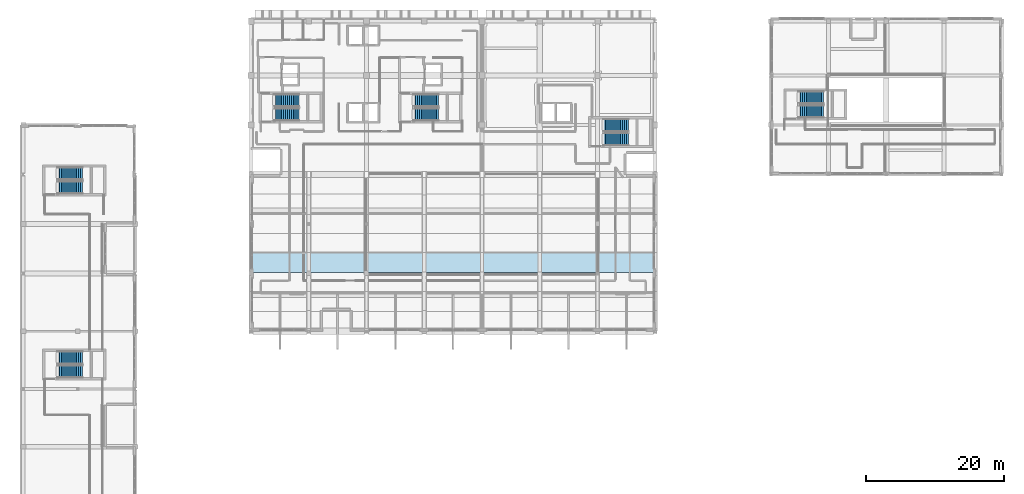
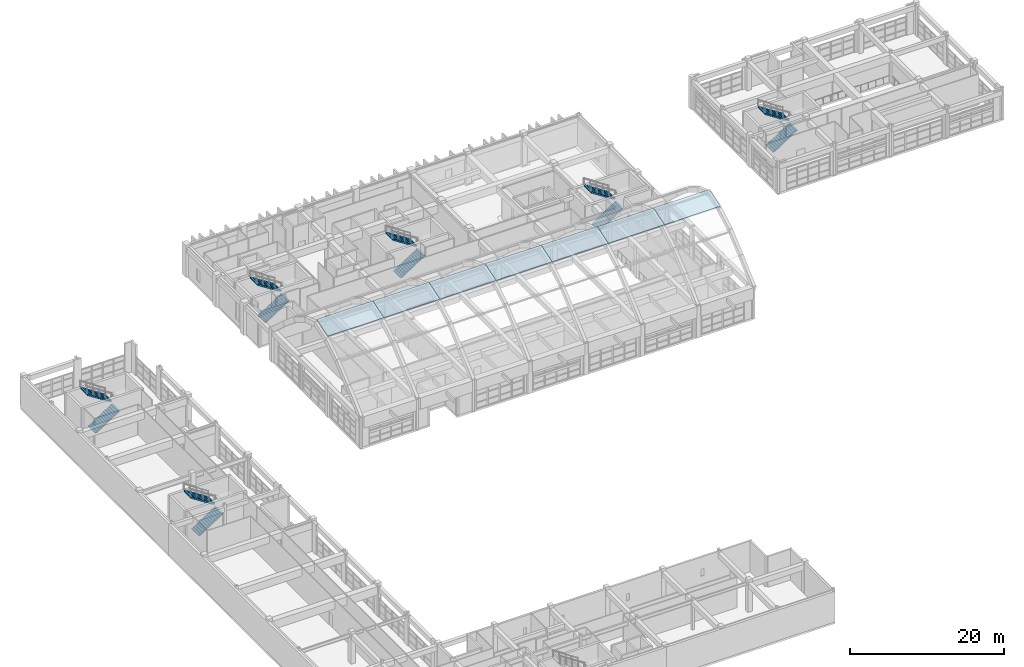
# One storey, part 93 of 103: 12 stair flights, 7 roofs, 6 elements without a shape of their own.
"""IFC4 building model written with IfcOpenShell, lengths in metres."""

from ifc_helpers import new_model, si_unit, direction, frame, origin, place, context, subcontext, project, spatial, polyline, outline, extrude, material, layer, layer_set, type_object, element, aggregate, save


model = new_model("IFC4")

# Units and contexts
model_context = context("Model", 3, precision=1e-05, world=origin(), true_north=direction((0.0, 1.0)))
body_context = subcontext(model_context, "Body", "Model", "MODEL_VIEW")
ifc_project = project(units=[si_unit("LENGTHUNIT", "METRE"), si_unit("AREAUNIT", "SQUARE_METRE"), si_unit("VOLUMEUNIT", "CUBIC_METRE"), si_unit("PLANEANGLEUNIT", "RADIAN"), si_unit("MASSUNIT", "GRAM", prefix="KILO")], contexts=[model_context])

# Site, building, storey
site_placement = place(None, origin())
site = spatial("IfcSite", under=ifc_project, at=site_placement, CompositionType="ELEMENT")
building_placement = place(site_placement, origin())
building = spatial("IfcBuilding", under=site, at=building_placement, Name="Quendrovan Civic Courthouse", CompositionType="ELEMENT")
storey_placement = place(building_placement, frame((0.0, 0.0, 15.300048828125)))
storey = spatial("IfcBuildingStorey", under=building, at=storey_placement, Name="L04", CompositionType="ELEMENT", Elevation=15.300048828125)

# Stair, stair flights
ifc_material_1 = material(Name="Concrete C40/50", Category="concrete")
stair_type_1 = type_object("IfcStairType", Name="STR-CORE-5100", PredefinedType="HALF_TURN_STAIR", material=ifc_material_1)
stair_1_placement = place(storey_placement, origin())
stair_1 = element("IfcStair", 1, at=stair_1_placement, inside=storey, type_object=stair_type_1, Name="L04 West Judicial and Public Exit Stair 1", PredefinedType="HALF_TURN_STAIR")
stair_flight_type_1 = type_object("IfcStairFlightType", Name="FLT-CORE-5100", PredefinedType="STRAIGHT", material=ifc_material_1)
stair_flight_1_placement = place(storey_placement, frame((36.949951171875, 96.324951171875, 0.0), z_axis=(0.0, 0.0, 1.0), x_axis=(1.0, 0.0, 0.0)))
stair_flight_1 = element("IfcStairFlight", 2, at=stair_flight_1_placement, type_object=stair_flight_type_1, Name="ST1 flight 1", NumberOfRisers=14, NumberOfTreads=13, PredefinedType="STRAIGHT", RiserHeight=0.182142857, TreadLength=0.28, context=body_context, shape_type="SweptSolid", body=[
    extrude(outline(polyline([(0.0, 0.0), (0.0, 0.18212890625), (0.280029296875, 0.18212890625), (0.280029296875, 0.3642578125), (0.56005859375, 0.3642578125), (0.56005859375, 0.54638671875), (0.840087890625, 0.54638671875), (0.840087890625, 0.728515625), (1.1201171875, 0.728515625), (1.1201171875, 0.91064453125), (1.39990234375, 0.91064453125), (1.39990234375, 1.0927734375), (1.679931640625, 1.0927734375), (1.679931640625, 1.27490234375), (1.9599609375, 1.27490234375), (1.9599609375, 1.45703125), (2.239990234375, 1.45703125), (2.239990234375, 1.639404296875), (2.52001953125, 1.639404296875), (2.52001953125, 1.821533203125), (2.800048828125, 1.821533203125), (2.800048828125, 2.003662109375), (3.080078125, 2.003662109375), (3.080078125, 2.185791015625), (3.360107421875, 2.185791015625), (3.360107421875, 2.367919921875), (3.639892578125, 2.367919921875), (3.639892578125, 2.550048828125), (3.639892578125, 2.18896484375), (0.27490234375, 0.0), (0.0, 0.0)])), frame((0.0, 0.925048828125, 0.0), z_axis=(0.0, -1.0, 0.0), x_axis=(1.0, 0.0, 0.0)), (0.0, 0.0, 1.0), 1.85009765625),
])
stair_flight_2_placement = place(storey_placement, frame((40.590087890625, 98.35498046875, 2.550048828125), z_axis=(0.0, 0.0, 1.0), x_axis=(-1.0, 0.0, 0.0)))
stair_flight_2 = element("IfcStairFlight", 3, at=stair_flight_2_placement, type_object=stair_flight_type_1, Name="ST1 flight 2", NumberOfRisers=14, NumberOfTreads=13, PredefinedType="STRAIGHT", RiserHeight=0.182142857, TreadLength=0.28, context=body_context, shape_type="SweptSolid", body=[
    extrude(outline(polyline([(0.0, 0.0), (0.0, 0.18212890625), (0.280029296875, 0.18212890625), (0.280029296875, 0.3642578125), (0.56005859375, 0.3642578125), (0.56005859375, 0.54638671875), (0.840087890625, 0.54638671875), (0.840087890625, 0.728515625), (1.1201171875, 0.728515625), (1.1201171875, 0.91064453125), (1.39990234375, 0.91064453125), (1.39990234375, 1.0927734375), (1.679931640625, 1.0927734375), (1.679931640625, 1.27490234375), (1.9599609375, 1.27490234375), (1.9599609375, 1.45703125), (2.239990234375, 1.45703125), (2.239990234375, 1.639404296875), (2.52001953125, 1.639404296875), (2.52001953125, 1.821533203125), (2.800048828125, 1.821533203125), (2.800048828125, 2.003662109375), (3.080078125, 2.003662109375), (3.080078125, 2.185791015625), (3.360107421875, 2.185791015625), (3.360107421875, 2.367919921875), (3.639892578125, 2.367919921875), (3.639892578125, 2.550048828125), (3.639892578125, 2.18896484375), (0.27490234375, 0.0), (0.0, 0.0)])), frame((0.0, 0.925048828125, 0.0), z_axis=(0.0, -1.0, 0.0), x_axis=(1.0, 0.0, 0.0)), (0.0, 0.0, 1.0), 1.85009765625),
])
aggregate(stair_1, [stair_flight_1, stair_flight_2])

stair_2_placement = place(storey_placement, origin())
stair_2 = element("IfcStair", 4, at=stair_2_placement, inside=storey, type_object=stair_type_1, Name="L04 Central Judicial and Firefighting Exit Stair 2", PredefinedType="HALF_TURN_STAIR")
stair_flight_3_placement = place(storey_placement, frame((57.25, 96.324951171875, 0.0), z_axis=(0.0, 0.0, 1.0), x_axis=(1.0, 0.0, 0.0)))
stair_flight_3 = element("IfcStairFlight", 5, at=stair_flight_3_placement, type_object=stair_flight_type_1, Name="ST2 flight 1", NumberOfRisers=14, NumberOfTreads=13, PredefinedType="STRAIGHT", RiserHeight=0.182142857, TreadLength=0.28, context=body_context, shape_type="SweptSolid", body=[
    extrude(outline(polyline([(0.0, 0.0), (0.0, 0.18212890625), (0.280029296875, 0.18212890625), (0.280029296875, 0.3642578125), (0.56005859375, 0.3642578125), (0.56005859375, 0.54638671875), (0.840087890625, 0.54638671875), (0.840087890625, 0.728515625), (1.1201171875, 0.728515625), (1.1201171875, 0.91064453125), (1.39990234375, 0.91064453125), (1.39990234375, 1.0927734375), (1.679931640625, 1.0927734375), (1.679931640625, 1.27490234375), (1.9599609375, 1.27490234375), (1.9599609375, 1.45703125), (2.239990234375, 1.45703125), (2.239990234375, 1.639404296875), (2.52001953125, 1.639404296875), (2.52001953125, 1.821533203125), (2.800048828125, 1.821533203125), (2.800048828125, 2.003662109375), (3.080078125, 2.003662109375), (3.080078125, 2.185791015625), (3.360107421875, 2.185791015625), (3.360107421875, 2.367919921875), (3.639892578125, 2.367919921875), (3.639892578125, 2.550048828125), (3.639892578125, 2.18896484375), (0.27490234375, 0.0), (0.0, 0.0)])), frame((0.0, 0.925048828125, 0.0), z_axis=(0.0, -1.0, 0.0), x_axis=(1.0, 0.0, 0.0)), (0.0, 0.0, 1.0), 1.85009765625),
])
stair_flight_4_placement = place(storey_placement, frame((60.889892578125, 98.35498046875, 2.550048828125), z_axis=(0.0, 0.0, 1.0), x_axis=(-1.0, 0.0, 0.0)))
stair_flight_4 = element("IfcStairFlight", 6, at=stair_flight_4_placement, type_object=stair_flight_type_1, Name="ST2 flight 2", NumberOfRisers=14, NumberOfTreads=13, PredefinedType="STRAIGHT", RiserHeight=0.182142857, TreadLength=0.28, context=body_context, shape_type="SweptSolid", body=[
    extrude(outline(polyline([(0.0, 0.0), (0.0, 0.18212890625), (0.280029296875, 0.18212890625), (0.280029296875, 0.3642578125), (0.56005859375, 0.3642578125), (0.56005859375, 0.54638671875), (0.840087890625, 0.54638671875), (0.840087890625, 0.728515625), (1.1201171875, 0.728515625), (1.1201171875, 0.91064453125), (1.39990234375, 0.91064453125), (1.39990234375, 1.0927734375), (1.679931640625, 1.0927734375), (1.679931640625, 1.27490234375), (1.9599609375, 1.27490234375), (1.9599609375, 1.45703125), (2.239990234375, 1.45703125), (2.239990234375, 1.639404296875), (2.52001953125, 1.639404296875), (2.52001953125, 1.821533203125), (2.800048828125, 1.821533203125), (2.800048828125, 2.003662109375), (3.080078125, 2.003662109375), (3.080078125, 2.185791015625), (3.360107421875, 2.185791015625), (3.360107421875, 2.367919921875), (3.639892578125, 2.367919921875), (3.639892578125, 2.550048828125), (3.639892578125, 2.18896484375), (0.27490234375, 0.0), (0.0, 0.0)])), frame((0.0, 0.925048828125, 0.0), z_axis=(0.0, -1.0, 0.0), x_axis=(1.0, 0.0, 0.0)), (0.0, 0.0, 1.0), 1.85009765625),
])
aggregate(stair_2, [stair_flight_3, stair_flight_4])

stair_3_placement = place(storey_placement, origin())
stair_3 = element("IfcStair", 7, at=stair_3_placement, inside=storey, type_object=stair_type_1, Name="L04 East Court Block Exit Stair 3", PredefinedType="HALF_TURN_STAIR")
stair_flight_5_placement = place(storey_placement, frame((84.85009765625, 92.72509765625, 0.0), z_axis=(0.0, 0.0, 1.0), x_axis=(1.0, 0.0, 0.0)))
stair_flight_5 = element("IfcStairFlight", 8, at=stair_flight_5_placement, type_object=stair_flight_type_1, Name="ST3 flight 1", NumberOfRisers=14, NumberOfTreads=13, PredefinedType="STRAIGHT", RiserHeight=0.182142857, TreadLength=0.28, context=body_context, shape_type="SweptSolid", body=[
    extrude(outline(polyline([(0.0, 0.0), (0.0, 0.18212890625), (0.280029296875, 0.18212890625), (0.280029296875, 0.3642578125), (0.56005859375, 0.3642578125), (0.56005859375, 0.54638671875), (0.840087890625, 0.54638671875), (0.840087890625, 0.728515625), (1.1201171875, 0.728515625), (1.1201171875, 0.91064453125), (1.39990234375, 0.91064453125), (1.39990234375, 1.0927734375), (1.679931640625, 1.0927734375), (1.679931640625, 1.27490234375), (1.9599609375, 1.27490234375), (1.9599609375, 1.45703125), (2.239990234375, 1.45703125), (2.239990234375, 1.639404296875), (2.52001953125, 1.639404296875), (2.52001953125, 1.821533203125), (2.800048828125, 1.821533203125), (2.800048828125, 2.003662109375), (3.080078125, 2.003662109375), (3.080078125, 2.185791015625), (3.360107421875, 2.185791015625), (3.360107421875, 2.367919921875), (3.639892578125, 2.367919921875), (3.639892578125, 2.550048828125), (3.639892578125, 2.18896484375), (0.27490234375, 0.0), (0.0, 0.0)])), frame((0.0, 0.925048828125, 0.0), z_axis=(0.0, -1.0, 0.0), x_axis=(1.0, 0.0, 0.0)), (0.0, 0.0, 1.0), 1.85009765625),
])
stair_flight_6_placement = place(storey_placement, frame((88.489990234375, 94.7548828125, 2.550048828125), z_axis=(0.0, 0.0, 1.0), x_axis=(-1.0, 0.0, 0.0)))
stair_flight_6 = element("IfcStairFlight", 9, at=stair_flight_6_placement, type_object=stair_flight_type_1, Name="ST3 flight 2", NumberOfRisers=14, NumberOfTreads=13, PredefinedType="STRAIGHT", RiserHeight=0.182142857, TreadLength=0.28, context=body_context, shape_type="SweptSolid", body=[
    extrude(outline(polyline([(0.0, 0.0), (0.0, 0.18212890625), (0.280029296875, 0.18212890625), (0.280029296875, 0.3642578125), (0.56005859375, 0.3642578125), (0.56005859375, 0.54638671875), (0.840087890625, 0.54638671875), (0.840087890625, 0.728515625), (1.1201171875, 0.728515625), (1.1201171875, 0.91064453125), (1.39990234375, 0.91064453125), (1.39990234375, 1.0927734375), (1.679931640625, 1.0927734375), (1.679931640625, 1.27490234375), (1.9599609375, 1.27490234375), (1.9599609375, 1.45703125), (2.239990234375, 1.45703125), (2.239990234375, 1.639404296875), (2.52001953125, 1.639404296875), (2.52001953125, 1.821533203125), (2.800048828125, 1.821533203125), (2.800048828125, 2.003662109375), (3.080078125, 2.003662109375), (3.080078125, 2.185791015625), (3.360107421875, 2.185791015625), (3.360107421875, 2.367919921875), (3.639892578125, 2.367919921875), (3.639892578125, 2.550048828125), (3.639892578125, 2.18896484375), (0.27490234375, 0.0), (0.0, 0.0)])), frame((0.0, 0.925048828125, 0.0), z_axis=(0.0, -1.0, 0.0), x_axis=(1.0, 0.0, 0.0)), (0.0, 0.0, 1.0), 1.85009765625),
])
aggregate(stair_3, [stair_flight_5, stair_flight_6])

stair_4_placement = place(storey_placement, origin())
stair_4 = element("IfcStair", 10, at=stair_4_placement, inside=storey, type_object=stair_type_1, Name="L04 Law Library Wing Exit Stair 4", PredefinedType="HALF_TURN_STAIR")
stair_flight_7_placement = place(storey_placement, frame((5.449951171875, 58.925048828125, 0.0), z_axis=(0.0, 0.0, 1.0), x_axis=(1.0, 0.0, 0.0)))
stair_flight_7 = element("IfcStairFlight", 11, at=stair_flight_7_placement, type_object=stair_flight_type_1, Name="ST4 flight 1", NumberOfRisers=14, NumberOfTreads=13, PredefinedType="STRAIGHT", RiserHeight=0.182142857, TreadLength=0.28, context=body_context, shape_type="SweptSolid", body=[
    extrude(outline(polyline([(0.0, 0.0), (0.0, 0.18212890625), (0.280029296875, 0.18212890625), (0.280029296875, 0.3642578125), (0.56005859375, 0.3642578125), (0.56005859375, 0.54638671875), (0.840087890625, 0.54638671875), (0.840087890625, 0.728515625), (1.1201171875, 0.728515625), (1.1201171875, 0.91064453125), (1.39990234375, 0.91064453125), (1.39990234375, 1.0927734375), (1.679931640625, 1.0927734375), (1.679931640625, 1.27490234375), (1.9599609375, 1.27490234375), (1.9599609375, 1.45703125), (2.239990234375, 1.45703125), (2.239990234375, 1.639404296875), (2.52001953125, 1.639404296875), (2.52001953125, 1.821533203125), (2.800048828125, 1.821533203125), (2.800048828125, 2.003662109375), (3.080078125, 2.003662109375), (3.080078125, 2.185791015625), (3.360107421875, 2.185791015625), (3.360107421875, 2.367919921875), (3.639892578125, 2.367919921875), (3.639892578125, 2.550048828125), (3.639892578125, 2.18896484375), (0.27490234375, 0.0), (0.0, 0.0)])), frame((0.0, 0.925048828125, 0.0), z_axis=(0.0, -1.0, 0.0), x_axis=(1.0, 0.0, 0.0)), (0.0, 0.0, 1.0), 1.85009765625),
])
stair_flight_8_placement = place(storey_placement, frame((9.090087890625, 60.955078125, 2.550048828125), z_axis=(0.0, 0.0, 1.0), x_axis=(-1.0, 0.0, 0.0)))
stair_flight_8 = element("IfcStairFlight", 12, at=stair_flight_8_placement, type_object=stair_flight_type_1, Name="ST4 flight 2", NumberOfRisers=14, NumberOfTreads=13, PredefinedType="STRAIGHT", RiserHeight=0.182142857, TreadLength=0.28, context=body_context, shape_type="SweptSolid", body=[
    extrude(outline(polyline([(0.0, 0.0), (0.0, 0.18212890625), (0.280029296875, 0.18212890625), (0.280029296875, 0.3642578125), (0.56005859375, 0.3642578125), (0.56005859375, 0.54638671875), (0.840087890625, 0.54638671875), (0.840087890625, 0.728515625), (1.1201171875, 0.728515625), (1.1201171875, 0.91064453125), (1.39990234375, 0.91064453125), (1.39990234375, 1.0927734375), (1.679931640625, 1.0927734375), (1.679931640625, 1.27490234375), (1.9599609375, 1.27490234375), (1.9599609375, 1.45703125), (2.239990234375, 1.45703125), (2.239990234375, 1.639404296875), (2.52001953125, 1.639404296875), (2.52001953125, 1.821533203125), (2.800048828125, 1.821533203125), (2.800048828125, 2.003662109375), (3.080078125, 2.003662109375), (3.080078125, 2.185791015625), (3.360107421875, 2.185791015625), (3.360107421875, 2.367919921875), (3.639892578125, 2.367919921875), (3.639892578125, 2.550048828125), (3.639892578125, 2.18896484375), (0.27490234375, 0.0), (0.0, 0.0)])), frame((0.0, 0.925048828125, 0.0), z_axis=(0.0, -1.0, 0.0), x_axis=(1.0, 0.0, 0.0)), (0.0, 0.0, 1.0), 1.85009765625),
])
aggregate(stair_4, [stair_flight_7, stair_flight_8])

stair_5_placement = place(storey_placement, origin())
stair_5 = element("IfcStair", 13, at=stair_5_placement, inside=storey, type_object=stair_type_1, Name="L04 Ceremonial Pavilion Exit Stair 6", PredefinedType="HALF_TURN_STAIR")
stair_flight_9_placement = place(storey_placement, frame((113.25, 96.77490234375, 0.0), z_axis=(0.0, 0.0, 1.0), x_axis=(1.0, 0.0, 0.0)))
stair_flight_9 = element("IfcStairFlight", 14, at=stair_flight_9_placement, type_object=stair_flight_type_1, Name="ST6 flight 1", NumberOfRisers=14, NumberOfTreads=13, PredefinedType="STRAIGHT", RiserHeight=0.182142857, TreadLength=0.28, context=body_context, shape_type="SweptSolid", body=[
    extrude(outline(polyline([(0.0, 0.0), (0.0, 0.18212890625), (0.280029296875, 0.18212890625), (0.280029296875, 0.3642578125), (0.56005859375, 0.3642578125), (0.56005859375, 0.54638671875), (0.840087890625, 0.54638671875), (0.840087890625, 0.728515625), (1.1201171875, 0.728515625), (1.1201171875, 0.91064453125), (1.39990234375, 0.91064453125), (1.39990234375, 1.0927734375), (1.679931640625, 1.0927734375), (1.679931640625, 1.27490234375), (1.9599609375, 1.27490234375), (1.9599609375, 1.45703125), (2.239990234375, 1.45703125), (2.239990234375, 1.639404296875), (2.52001953125, 1.639404296875), (2.52001953125, 1.821533203125), (2.800048828125, 1.821533203125), (2.800048828125, 2.003662109375), (3.080078125, 2.003662109375), (3.080078125, 2.185791015625), (3.360107421875, 2.185791015625), (3.360107421875, 2.367919921875), (3.639892578125, 2.367919921875), (3.639892578125, 2.550048828125), (3.639892578125, 2.18896484375), (0.27490234375, 0.0), (0.0, 0.0)])), frame((0.0, 0.925048828125, 0.0), z_axis=(0.0, -1.0, 0.0), x_axis=(1.0, 0.0, 0.0)), (0.0, 0.0, 1.0), 1.85009765625),
])
stair_flight_10_placement = place(storey_placement, frame((116.889892578125, 98.804931640625, 2.550048828125), z_axis=(0.0, 0.0, 1.0), x_axis=(-1.0, 0.0, 0.0)))
stair_flight_10 = element("IfcStairFlight", 15, at=stair_flight_10_placement, type_object=stair_flight_type_1, Name="ST6 flight 2", NumberOfRisers=14, NumberOfTreads=13, PredefinedType="STRAIGHT", RiserHeight=0.182142857, TreadLength=0.28, context=body_context, shape_type="SweptSolid", body=[
    extrude(outline(polyline([(0.0, 0.0), (0.0, 0.18212890625), (0.280029296875, 0.18212890625), (0.280029296875, 0.3642578125), (0.56005859375, 0.3642578125), (0.56005859375, 0.54638671875), (0.840087890625, 0.54638671875), (0.840087890625, 0.728515625), (1.1201171875, 0.728515625), (1.1201171875, 0.91064453125), (1.39990234375, 0.91064453125), (1.39990234375, 1.0927734375), (1.679931640625, 1.0927734375), (1.679931640625, 1.27490234375), (1.9599609375, 1.27490234375), (1.9599609375, 1.45703125), (2.239990234375, 1.45703125), (2.239990234375, 1.639404296875), (2.52001953125, 1.639404296875), (2.52001953125, 1.821533203125), (2.800048828125, 1.821533203125), (2.800048828125, 2.003662109375), (3.080078125, 2.003662109375), (3.080078125, 2.185791015625), (3.360107421875, 2.185791015625), (3.360107421875, 2.367919921875), (3.639892578125, 2.367919921875), (3.639892578125, 2.550048828125), (3.639892578125, 2.18896484375), (0.27490234375, 0.0), (0.0, 0.0)])), frame((0.0, 0.925048828125, 0.0), z_axis=(0.0, -1.0, 0.0), x_axis=(1.0, 0.0, 0.0)), (0.0, 0.0, 1.0), 1.85009765625),
])
aggregate(stair_5, [stair_flight_9, stair_flight_10])

ifc_material_2 = material(Name="Precast concrete C45/55", Category="concrete")
stair_type_2 = type_object("IfcStairType", Name="STR-FEAT-5100", PredefinedType="HALF_TURN_STAIR", material=ifc_material_2)
stair_6_placement = place(storey_placement, origin())
stair_6 = element("IfcStair", 16, at=stair_6_placement, inside=storey, type_object=stair_type_2, Name="L04 North-West Law Library Exit Stair 8", PredefinedType="HALF_TURN_STAIR")
stair_flight_type_2 = type_object("IfcStairFlightType", Name="FLT-FEAT-5100", PredefinedType="STRAIGHT", material=ifc_material_2)
stair_flight_11_placement = place(storey_placement, frame((5.449951171875, 85.72509765625, 0.0), z_axis=(0.0, 0.0, 1.0), x_axis=(1.0, 0.0, 0.0)))
stair_flight_11 = element("IfcStairFlight", 17, at=stair_flight_11_placement, type_object=stair_flight_type_2, Name="ST8 flight 1", NumberOfRisers=14, NumberOfTreads=13, PredefinedType="STRAIGHT", RiserHeight=0.182142857, TreadLength=0.28, context=body_context, shape_type="SweptSolid", body=[
    extrude(outline(polyline([(0.0, 0.0), (0.0, 0.18212890625), (0.280029296875, 0.18212890625), (0.280029296875, 0.3642578125), (0.56005859375, 0.3642578125), (0.56005859375, 0.54638671875), (0.840087890625, 0.54638671875), (0.840087890625, 0.728515625), (1.1201171875, 0.728515625), (1.1201171875, 0.91064453125), (1.39990234375, 0.91064453125), (1.39990234375, 1.0927734375), (1.679931640625, 1.0927734375), (1.679931640625, 1.27490234375), (1.9599609375, 1.27490234375), (1.9599609375, 1.45703125), (2.239990234375, 1.45703125), (2.239990234375, 1.639404296875), (2.52001953125, 1.639404296875), (2.52001953125, 1.821533203125), (2.800048828125, 1.821533203125), (2.800048828125, 2.003662109375), (3.080078125, 2.003662109375), (3.080078125, 2.185791015625), (3.360107421875, 2.185791015625), (3.360107421875, 2.367919921875), (3.639892578125, 2.367919921875), (3.639892578125, 2.550048828125), (3.639892578125, 2.18896484375), (0.27490234375, 0.0), (0.0, 0.0)])), frame((0.0, 0.925048828125, 0.0), z_axis=(0.0, -1.0, 0.0), x_axis=(1.0, 0.0, 0.0)), (0.0, 0.0, 1.0), 1.85009765625),
])
stair_flight_12_placement = place(storey_placement, frame((9.090087890625, 87.7548828125, 2.550048828125), z_axis=(0.0, 0.0, 1.0), x_axis=(-1.0, 0.0, 0.0)))
stair_flight_12 = element("IfcStairFlight", 18, at=stair_flight_12_placement, type_object=stair_flight_type_2, Name="ST8 flight 2", NumberOfRisers=14, NumberOfTreads=13, PredefinedType="STRAIGHT", RiserHeight=0.182142857, TreadLength=0.28, context=body_context, shape_type="SweptSolid", body=[
    extrude(outline(polyline([(0.0, 0.0), (0.0, 0.18212890625), (0.280029296875, 0.18212890625), (0.280029296875, 0.3642578125), (0.56005859375, 0.3642578125), (0.56005859375, 0.54638671875), (0.840087890625, 0.54638671875), (0.840087890625, 0.728515625), (1.1201171875, 0.728515625), (1.1201171875, 0.91064453125), (1.39990234375, 0.91064453125), (1.39990234375, 1.0927734375), (1.679931640625, 1.0927734375), (1.679931640625, 1.27490234375), (1.9599609375, 1.27490234375), (1.9599609375, 1.45703125), (2.239990234375, 1.45703125), (2.239990234375, 1.639404296875), (2.52001953125, 1.639404296875), (2.52001953125, 1.821533203125), (2.800048828125, 1.821533203125), (2.800048828125, 2.003662109375), (3.080078125, 2.003662109375), (3.080078125, 2.185791015625), (3.360107421875, 2.185791015625), (3.360107421875, 2.367919921875), (3.639892578125, 2.367919921875), (3.639892578125, 2.550048828125), (3.639892578125, 2.18896484375), (0.27490234375, 0.0), (0.0, 0.0)])), frame((0.0, 0.925048828125, 0.0), z_axis=(0.0, -1.0, 0.0), x_axis=(1.0, 0.0, 0.0)), (0.0, 0.0, 1.0), 1.85009765625),
])
aggregate(stair_6, [stair_flight_11, stair_flight_12])

# Roofs
ifc_layer = layer(ifc_material_2, 0.1201171875, Name="Precast concrete C45/55")
ifc_layer_set = layer_set([ifc_layer], Name="Precast concrete C45/55")
roof_type = type_object("IfcRoofType", Name="ROOF-BARREL-ASSY", PredefinedType="BARREL_ROOF", material=ifc_layer_set)
for number, where, z_axis, x_axis, name in (
    (19, (33.60009765625, 73.35009765625, 12.47705078125), (0.0, -0.314104209, 0.949388511563), (1.0, 0.0, 0.0), "BV2 Barrel Vault Crown Roofing Assembly B1"),
    (20, (42.0, 73.35009765625, 12.47705078125), (0.0, -0.314104209, 0.949388511563), (1.0, 0.0, 0.0), "BV2 Barrel Vault Crown Roofing Assembly B2"),
):
    element("IfcRoof", number, at=place(storey_placement, frame(where, z_axis=z_axis, x_axis=x_axis)), inside=storey, type_object=roof_type, Name=name, PredefinedType="BARREL_ROOF", context=body_context, shape_type="SweptSolid", body=[
        extrude(outline(polyline([(0.0, 0.0), (8.39990234375, 0.0), (8.39990234375, 3.0017779664641235), (0.0, 3.0017779664641235), (0.0, 0.0)])), origin(), (0.0, 0.0, -1.0), 0.1201171875),
    ])
roof_1_placement = place(storey_placement, frame((50.39990234375, 73.35009765625, 12.47705078125), z_axis=(0.0, -0.314104209, 0.949388511563), x_axis=(1.0, 0.0, 0.0)))
element("IfcRoof", 21, at=roof_1_placement, inside=storey, type_object=roof_type, Name="BV2 Barrel Vault Crown Roofing Assembly B3", PredefinedType="BARREL_ROOF", context=body_context, shape_type="SweptSolid", body=[
    extrude(outline(polyline([(0.0, 0.0), (8.400146484375, 0.0), (8.400146484375, 3.0017779664641244), (0.0, 3.0017779664641244), (0.0, 0.0)])), origin(), (0.0, 0.0, -1.0), 0.1201171875),
])
roof_2_placement = place(storey_placement, frame((58.800048828125, 73.35009765625, 12.47705078125), z_axis=(0.0, -0.314104209, 0.949388511563), x_axis=(1.0, 0.0, 0.0)))
element("IfcRoof", 22, at=roof_2_placement, inside=storey, type_object=roof_type, Name="BV2 Barrel Vault Crown Roofing Assembly B4", PredefinedType="BARREL_ROOF", context=body_context, shape_type="SweptSolid", body=[
    extrude(outline(polyline([(0.0, 0.0), (8.39990234375, 0.0), (8.39990234375, 3.0017779664641235), (0.0, 3.0017779664641235), (0.0, 0.0)])), origin(), (0.0, 0.0, -1.0), 0.1201171875),
])
roof_3_placement = place(storey_placement, frame((67.199951171875, 73.35009765625, 12.47705078125), z_axis=(0.0, -0.314104209, 0.949388511563), x_axis=(1.0, 0.0, 0.0)))
element("IfcRoof", 23, at=roof_3_placement, inside=storey, type_object=roof_type, Name="BV2 Barrel Vault Crown Roofing Assembly B5", PredefinedType="BARREL_ROOF", context=body_context, shape_type="SweptSolid", body=[
    extrude(outline(polyline([(0.0, 0.0), (8.400146484375, 0.0), (8.400146484375, 3.0017779664641244), (0.0, 3.0017779664641244), (0.0, 0.0)])), origin(), (0.0, 0.0, -1.0), 0.1201171875),
])
for number, where, z_axis, x_axis, name in (
    (24, (75.60009765625, 73.35009765625, 12.47705078125), (0.0, -0.314104209, 0.949388511563), (1.0, 0.0, 0.0), "BV2 Barrel Vault Crown Roofing Assembly B6"),
    (25, (84.0, 73.35009765625, 12.47705078125), (0.0, -0.314104209, 0.949388511563), (1.0, 0.0, 0.0), "BV2 Barrel Vault Crown Roofing Assembly B7"),
):
    element("IfcRoof", number, at=place(storey_placement, frame(where, z_axis=z_axis, x_axis=x_axis)), inside=storey, type_object=roof_type, Name=name, PredefinedType="BARREL_ROOF", context=body_context, shape_type="SweptSolid", body=[
        extrude(outline(polyline([(0.0, 0.0), (8.39990234375, 0.0), (8.39990234375, 3.0017779664641235), (0.0, 3.0017779664641235), (0.0, 0.0)])), origin(), (0.0, 0.0, -1.0), 0.1201171875),
    ])

save(model, "model.ifc")
